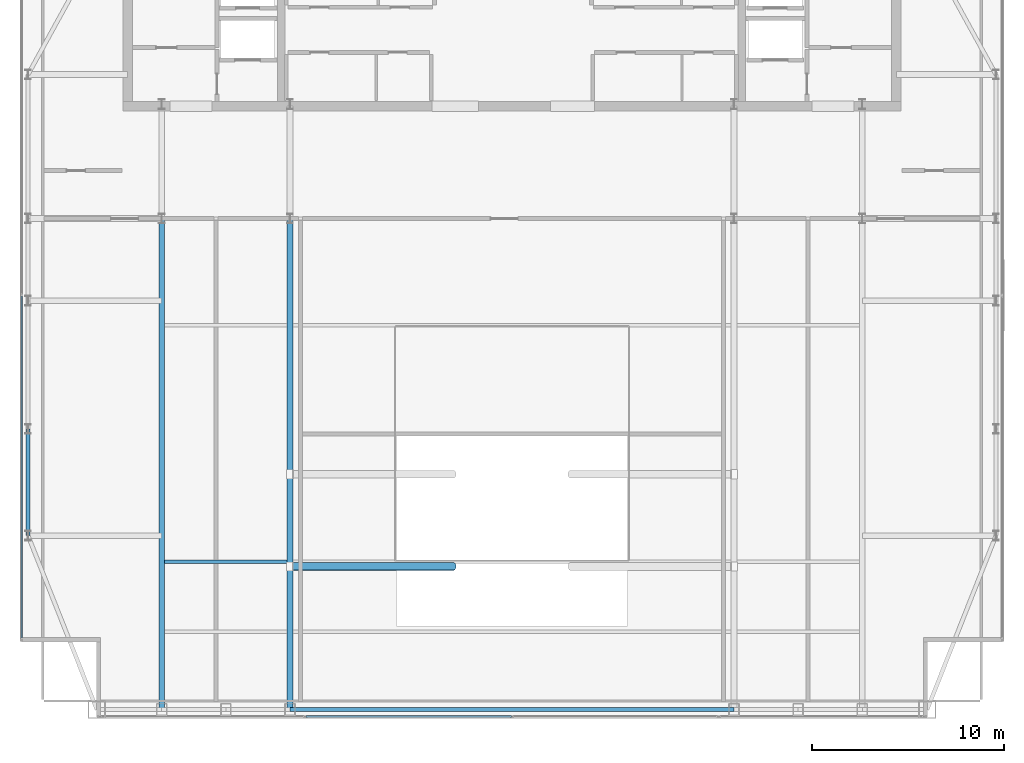
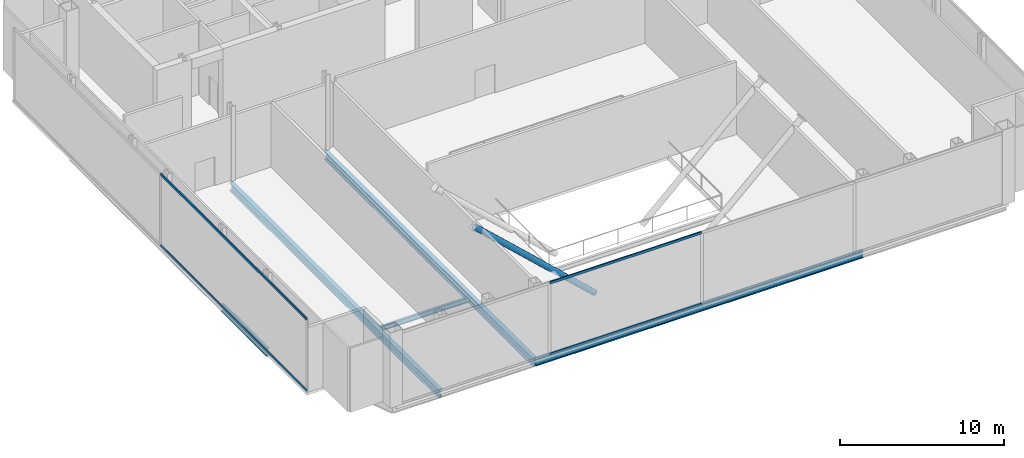
# One storey, part 5 of 23: 5 beams, 5 members, 2 elements without a shape of their own.
"""IFC4 building model written with IfcOpenShell, lengths in metres."""

from ifc_helpers import new_model, si_unit, direction, frame, origin, origin_2d, place, context, subcontext, project, spatial, hollow_rectangle, hollow_circle, i_section, extrude, material, material_profile, profile_set, type_object, element, aggregate, save


model = new_model("IFC4")

# Units and contexts
model_context = context("Model", 3, precision=1e-05, world=origin(), true_north=direction((0.0, 1.0)))
body_context = subcontext(model_context, "Body", "Model", "MODEL_VIEW")
ifc_project = project(units=[si_unit("LENGTHUNIT", "METRE"), si_unit("AREAUNIT", "SQUARE_METRE"), si_unit("VOLUMEUNIT", "CUBIC_METRE"), si_unit("PLANEANGLEUNIT", "RADIAN"), si_unit("MASSUNIT", "GRAM", prefix="KILO")], contexts=[model_context])

# Site, building, storey
site_placement = place(None, origin())
site = spatial("IfcSite", under=ifc_project, at=site_placement, CompositionType="ELEMENT")
building_placement = place(site_placement, origin())
building = spatial("IfcBuilding", under=site, at=building_placement, Name="Khoronbel Lancet Exchange", CompositionType="ELEMENT")
storey_placement = place(building_placement, frame((0.0, 0.0, 356.199951171875)))
storey = spatial("IfcBuildingStorey", under=building, at=storey_placement, Name="L92", CompositionType="ELEMENT", Elevation=356.199951171875)

# Beams
ifc_material_1 = material(Name="Steel S355", Category="steel")
ifc_material_profile_1 = material_profile(ifc_material_1, i_section(OverallWidth=0.300048828125, OverallDepth=0.60009765625, WebThickness=0.015380859375, FlangeThickness=0.030029296875, at=origin_2d()), Name="HEB 600")
ifc_profile_set_1 = profile_set([ifc_material_profile_1], Name="Steel S355")
beam_type_1 = type_object("IfcBeamType", Name="BM-BG5", PredefinedType="BEAM", material=ifc_profile_set_1)
for number, where, z_axis, x_axis, name in (
    (1, (18.22509765625, 10.14990234375, -0.5), (0.0, 1.0, 0.0), (-1.0, 0.0, 0.0), "Level L92 south primary girder GS1"),
    (2, (24.89990234375, 10.14990234375, -0.5), (0.0, 1.0, 0.0), (-1.0, 0.0, 0.0), "Level L92 south primary girder GS2"),
):
    element("IfcBeam", number, at=place(storey_placement, frame(where, z_axis=z_axis, x_axis=x_axis)), inside=storey, type_object=beam_type_1, Name=name, PredefinedType="BEAM", context=body_context, shape_type="SweptSolid", body=[
        extrude(i_section(OverallWidth=0.300048828125, OverallDepth=0.60009765625, WebThickness=0.015380859375, FlangeThickness=0.030029296875, at=origin_2d()), origin(), (0.0, 0.0, 1.0), 25.550048828125),
    ])
ifc_material_profile_2 = material_profile(ifc_material_1, i_section(OverallWidth=0.169921875, OverallDepth=0.360107421875, WebThickness=0.008056640625, FlangeThickness=0.0126953125, at=origin_2d()), Name="IPE 360")
ifc_profile_set_2 = profile_set([ifc_material_profile_2], Name="Steel S355")
beam_type_2 = type_object("IfcBeamType", Name="BM-BJ6", PredefinedType="JOIST", material=ifc_profile_set_2)
beam_1_placement = place(storey_placement, frame((18.375, 17.85009765625, -0.3798828125), z_axis=(1.0, 0.0, 0.0), x_axis=(0.0, 1.0, 0.0)))
element("IfcBeam", 3, at=beam_1_placement, inside=storey, type_object=beam_type_2, Name="Level L92 secondary composite joist J04", PredefinedType="JOIST", context=body_context, shape_type="SweptSolid", body=[
    extrude(i_section(OverallWidth=0.169921875, OverallDepth=0.360107421875, WebThickness=0.008056640625, FlangeThickness=0.0126953125, at=origin_2d()), origin(), (0.0, 0.0, 1.0), 6.375),
])
ifc_material_profile_3 = material_profile(ifc_material_1, i_section(OverallWidth=0.2099609375, OverallDepth=0.550048828125, WebThickness=0.010986328125, FlangeThickness=0.01708984375, at=origin_2d()), Name="IPE 550")
ifc_profile_set_3 = profile_set([ifc_material_profile_3], Name="Steel S355")
beam_type_3 = type_object("IfcBeamType", Name="BM-BSP3", PredefinedType="SPANDREL", material=ifc_profile_set_3)
beam_2_placement = place(storey_placement, frame((24.89990234375, 10.14990234375, -0.474853515625), z_axis=(1.0, 0.0, 0.0), x_axis=(0.0, 1.0, 0.0)))
element("IfcBeam", 4, at=beam_2_placement, inside=storey, type_object=beam_type_3, Name="Level L92 perimeter spandrel beam SP04", PredefinedType="SPANDREL", context=body_context, shape_type="SweptSolid", body=[
    extrude(i_section(OverallWidth=0.2099609375, OverallDepth=0.550048828125, WebThickness=0.010986328125, FlangeThickness=0.01708984375, at=origin_2d()), origin(), (0.0, 0.0, 1.0), 23.10009765625),
])
beam_3_placement = place(storey_placement, frame((11.27001953125, 24.75, -0.474853515625), z_axis=(0.0, -1.0, 0.0), x_axis=(1.0, 0.0, 0.0)))
element("IfcBeam", 5, at=beam_3_placement, inside=storey, type_object=beam_type_3, Name="Level L92 perimeter spandrel beam SP18", PredefinedType="SPANDREL", context=body_context, shape_type="SweptSolid", body=[
    extrude(i_section(OverallWidth=0.2099609375, OverallDepth=0.550048828125, WebThickness=0.010986328125, FlangeThickness=0.01708984375, at=origin_2d()), origin(), (0.0, 0.0, 1.0), 5.550048828125),
])

# Curtain wall, members
ifc_material_2 = material(Name="Low-E Solar Control Insulating Glass", Category="glass")
curtain_wall_type = type_object("IfcCurtainWallType", Name="CW-6", PredefinedType="NOTDEFINED", material=ifc_material_2)
curtain_wall_1_placement = place(storey_placement, origin())
curtain_wall_1 = element("IfcCurtainWall", 6, at=curtain_wall_1_placement, inside=storey, type_object=curtain_wall_type, Name="Unitised curtain wall CW-L92-E03", PredefinedType="NOTDEFINED")
ifc_material_3 = material(Name="Bronze-Anodised Aluminium 6063-T6", Category="aluminium")
ifc_material_profile_4 = material_profile(ifc_material_3, hollow_rectangle(XDim=0.0849609375, YDim=0.179931640625, WallThickness=0.0048828125, at=origin_2d()), Name="ALU TRANSOM 85x180")
ifc_profile_set_4 = profile_set([ifc_material_profile_4], Name="Bronze-Anodised Aluminium 6063-T6")
member_type_1 = type_object("IfcMemberType", Name="MEM-CWT1", PredefinedType="USERDEFINED", material=ifc_profile_set_4)
member_1_placement = place(storey_placement, frame((10.93994140625, 13.864990234375, 0.04248046875), z_axis=(0.0, 1.0, 0.0), x_axis=(-1.0, 0.0, 0.0)))
member_1 = element("IfcMember", 7, at=member_1_placement, type_object=member_type_1, Name="CW6 transom 1.1", ObjectType="TRANSOM", PredefinedType="USERDEFINED", context=body_context, shape_type="SweptSolid", body=[
    extrude(hollow_rectangle(XDim=0.0849609375, YDim=0.179931640625, WallThickness=0.0048828125, at=origin_2d()), origin(), (0.0, 0.0, 1.0), 17.797607421875),
])
member_2_placement = place(storey_placement, frame((10.93994140625, 13.864990234375, 5.357666015625), z_axis=(0.0, 1.0, 0.0), x_axis=(-1.0, 0.0, 0.0)))
member_2 = element("IfcMember", 8, at=member_2_placement, type_object=member_type_1, Name="CW6 transom 1.2", ObjectType="TRANSOM", PredefinedType="USERDEFINED", context=body_context, shape_type="SweptSolid", body=[
    extrude(hollow_rectangle(XDim=0.0849609375, YDim=0.179931640625, WallThickness=0.0048828125, at=origin_2d()), origin(), (0.0, 0.0, 1.0), 17.797607421875),
])
aggregate(curtain_wall_1, [member_1, member_2])

curtain_wall_2_placement = place(storey_placement, origin())
curtain_wall_2 = element("IfcCurtainWall", 9, at=curtain_wall_2_placement, inside=storey, type_object=curtain_wall_type, Name="Unitised curtain wall CW-L92-E12", PredefinedType="NOTDEFINED")
member_3_placement = place(storey_placement, frame((36.41259765625, 9.7900390625, 0.04248046875), z_axis=(-1.0, 0.0, 0.0), x_axis=(0.0, -1.0, 0.0)))
member_3 = element("IfcMember", 10, at=member_3_placement, type_object=member_type_1, Name="CW6 transom 3.1", ObjectType="TRANSOM", PredefinedType="USERDEFINED", context=body_context, shape_type="SweptSolid", body=[
    extrude(hollow_rectangle(XDim=0.0849609375, YDim=0.179931640625, WallThickness=0.0048828125, at=origin_2d()), origin(), (0.0, 0.0, 1.0), 10.68017578125),
])
member_4_placement = place(storey_placement, frame((36.41259765625, 9.7900390625, 5.357666015625), z_axis=(-1.0, 0.0, 0.0), x_axis=(0.0, -1.0, 0.0)))
member_4 = element("IfcMember", 11, at=member_4_placement, type_object=member_type_1, Name="CW6 transom 3.2", ObjectType="TRANSOM", PredefinedType="USERDEFINED", context=body_context, shape_type="SweptSolid", body=[
    extrude(hollow_rectangle(XDim=0.0849609375, YDim=0.179931640625, WallThickness=0.0048828125, at=origin_2d()), origin(), (0.0, 0.0, 1.0), 10.68017578125),
])
aggregate(curtain_wall_2, [member_3, member_4])

# Member
ifc_material_profile_5 = material_profile(ifc_material_1, hollow_circle(Radius=0.203125, WallThickness=0.02001953125, at=origin_2d()), Name="CHS 406.4x20")
ifc_profile_set_5 = profile_set([ifc_material_profile_5], Name="Steel S355")
member_type_2 = type_object("IfcMemberType", Name="MEM-STR2", PredefinedType="STRUT", material=ifc_profile_set_5)
member_5_placement = place(storey_placement, frame((33.39990234375, 17.60009765625, -2.800048828125), z_axis=(-0.732480198105, 0.0, 0.680788336698), x_axis=(0.0, -1.0, 0.0)))
element("IfcMember", 12, at=member_5_placement, inside=storey, type_object=member_type_2, Name="Tuned mass damper pendulum hanger strut 1", PredefinedType="STRUT", context=body_context, shape_type="SweptSolid", body=[
    extrude(hollow_circle(Radius=0.203125, WallThickness=0.02001953125, at=origin_2d()), origin(), (0.0, 0.0, 1.0), 11.6044921875),
])

save(model, "model.ifc")
